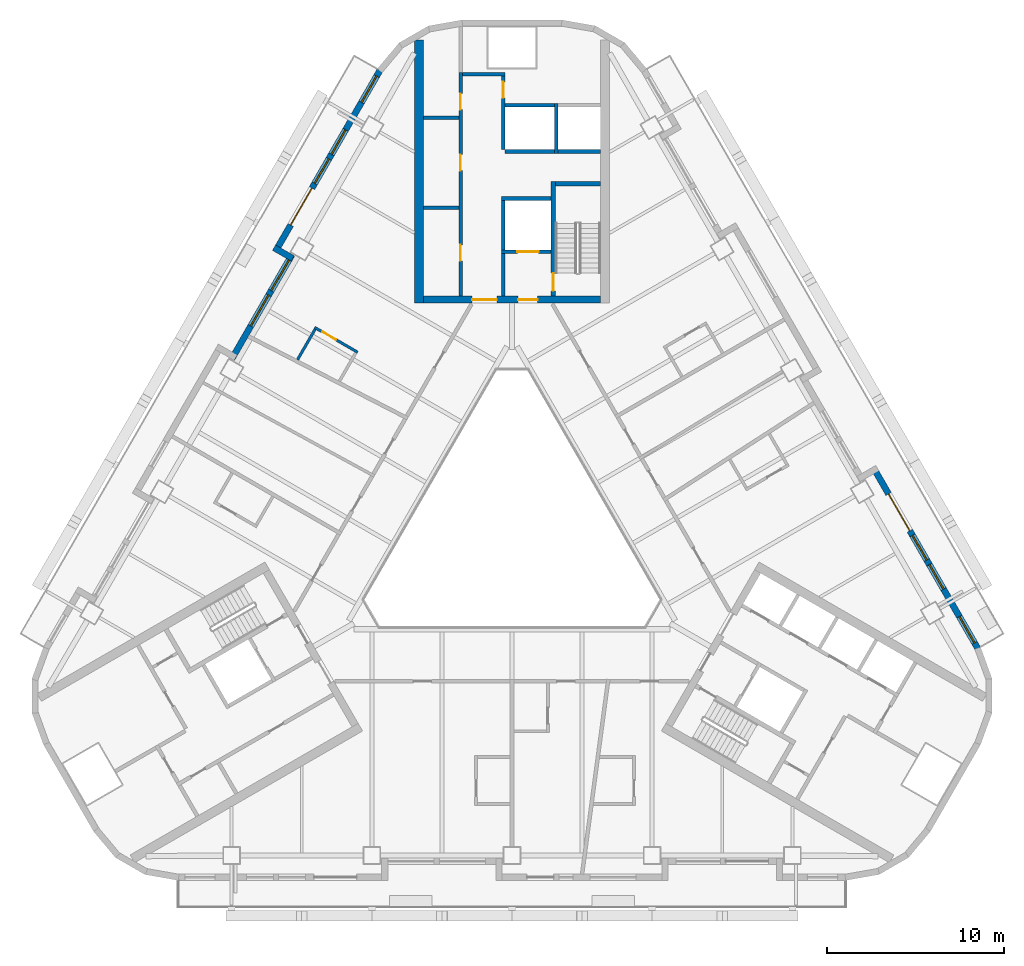
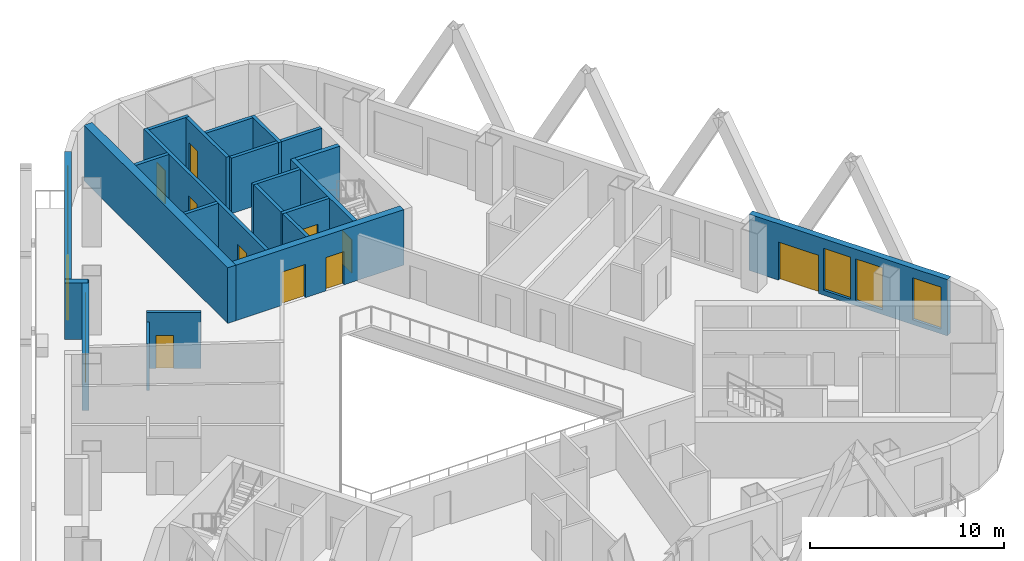
# One storey, part 6 of 13: 23 walls, 11 doors, 8 windows, 19 openings.
"""IFC4 building model written with IfcOpenShell, lengths in metres."""

from ifc_helpers import new_model, si_unit, direction, frame, frame_2d, origin, place, context, subcontext, project, spatial, rectangle, extrude, material, layer, layer_set, type_object, element, fill, save


model = new_model("IFC4")

# Units and contexts
model_context = context("Model", 3, precision=1e-05, world=origin(), true_north=direction((0.0, 1.0)))
body_context = subcontext(model_context, "Body", "Model", "MODEL_VIEW")
ifc_project = project(units=[si_unit("LENGTHUNIT", "METRE"), si_unit("AREAUNIT", "SQUARE_METRE"), si_unit("VOLUMEUNIT", "CUBIC_METRE"), si_unit("PLANEANGLEUNIT", "RADIAN"), si_unit("MASSUNIT", "GRAM", prefix="KILO")], contexts=[model_context])

# Site, building, storey
site_placement = place(None, origin())
site = spatial("IfcSite", under=ifc_project, at=site_placement, CompositionType="ELEMENT")
building_placement = place(site_placement, origin())
building = spatial("IfcBuilding", under=site, at=building_placement, Name="Apuvela Tower Hotel", CompositionType="ELEMENT")
storey_placement = place(building_placement, frame((0.0, 0.0, 61.300048828125)))
storey = spatial("IfcBuildingStorey", under=building, at=storey_placement, Name="L12", CompositionType="ELEMENT", Elevation=61.300048828125)

# Wall, openings, doors
ifc_material_1 = material(Name="Concrete C50/60", Category="concrete")
ifc_layer_1 = layer(ifc_material_1, 0.39990234375)
ifc_layer_set_1 = layer_set([ifc_layer_1], Name="COR-WALL-CORE-400")
wall_type_1 = type_object("IfcWallType", Name="COR-WALL-CORE-400", PredefinedType="SHEAR", material=ifc_layer_set_1)
wall_1_placement = place(storey_placement, frame((5.0, 13.10009765625, 0.0), z_axis=(0.0, 0.0, 1.0), x_axis=(-1.0, 0.0, 0.0)))
wall_1 = element("IfcWall", 1, at=wall_1_placement, inside=storey, type_object=wall_type_1, Name="Core wall N", PredefinedType="SHEAR", context=body_context, shape_type="SweptSolid", body=[
    extrude(rectangle(XDim=10.0, YDim=0.39990234375, at=frame_2d((5.0, 0.0))), origin(), (0.0, 0.0, 1.0), 3.5),
])
opening_1_placement = place(wall_1_placement, frame((3.550048828125, 0.0, 0.0)))
opening_1 = element("IfcOpeningElement", 2, at=opening_1_placement, cuts=wall_1, Name="Opening N-FD", PredefinedType="OPENING", context=body_context, shape_type="SweptSolid", body=[
    extrude(rectangle(XDim=1.10009765625, YDim=2.10009765625, at=frame_2d((0.550048828125, 1.050048828125))), frame((0.0, 0.2099609375, 0.0), z_axis=(0.0, -1.0, 0.0), x_axis=(1.0, 0.0, 0.0)), (0.0, 0.0, 1.0), 0.419921875),
])
opening_2_placement = place(wall_1_placement, frame((5.85009765625, 0.0, 0.0)))
opening_2 = element("IfcOpeningElement", 3, at=opening_2_placement, cuts=wall_1, Name="Opening N-GD", PredefinedType="OPENING", context=body_context, shape_type="SweptSolid", body=[
    extrude(rectangle(XDim=1.39990234375, YDim=2.10009765625, at=frame_2d((0.699951171875, 1.050048828125))), frame((0.0, 0.2099609375, 0.0), z_axis=(0.0, -1.0, 0.0), x_axis=(1.0, 0.0, 0.0)), (0.0, 0.0, 1.0), 0.419921875),
])
ifc_material_2 = material(Name="Steel fire door, powder coated", Category="steel")
door_type_1 = type_object("IfcDoorType", Name="COR-FD-1100", OperationType="NOTDEFINED", PredefinedType="DOOR", material=ifc_material_2)
door_1_placement = place(opening_1_placement, frame((1.10009765625, 0.0, 0.0), z_axis=(0.0, 0.0, 1.0), x_axis=(-1.0, 0.0, 0.0)))
door_1 = element("IfcDoor", 4, at=door_1_placement, inside=storey, type_object=door_type_1, Name="Firefighting lobby door N-FD", OperationType="SINGLE_SWING_LEFT", OverallHeight=2.10009765625, OverallWidth=1.10009765625, PredefinedType="DOOR", context=body_context, shape_type="SweptSolid", body=[
    extrude(rectangle(XDim=1.10009765625, YDim=2.10009765625, at=frame_2d((0.550048828125, 1.050048828125))), frame((0.0, 0.02490234375, 0.0), z_axis=(0.0, -1.0, 0.0), x_axis=(1.0, 0.0, 0.0)), (0.0, 0.0, 1.0), 0.050048828125),
])
fill(opening_1, door_1)
ifc_material_3 = material(Name="Glazed steel fire door", Category="steel")
door_type_2 = type_object("IfcDoorType", Name="COR-GD-1400", OperationType="DOUBLE_DOOR_SINGLE_SWING", PredefinedType="DOOR", material=ifc_material_3)
door_2_placement = place(opening_2_placement, frame((1.39990234375, 0.0, 0.0), z_axis=(0.0, 0.0, 1.0), x_axis=(-1.0, 0.0, 0.0)))
door_2 = element("IfcDoor", 5, at=door_2_placement, inside=storey, type_object=door_type_2, Name="Lift lobby door N-GD", OperationType="DOUBLE_DOOR_SINGLE_SWING", OverallHeight=2.10009765625, OverallWidth=1.39990234375, PredefinedType="DOOR", context=body_context, shape_type="SweptSolid", body=[
    extrude(rectangle(XDim=1.39990234375, YDim=2.10009765625, at=frame_2d((0.699951171875, 1.050048828125))), frame((0.0, 0.02490234375, 0.0), z_axis=(0.0, -1.0, 0.0), x_axis=(1.0, 0.0, 0.0)), (0.0, 0.0, 1.0), 0.050048828125),
])
fill(opening_2, door_2)

# Walls
ifc_layer_2 = layer(ifc_material_1, 0.5)
ifc_layer_set_2 = layer_set([ifc_layer_2], Name="COR-WALL-CORE-500")
wall_type_2 = type_object("IfcWallType", Name="COR-WALL-CORE-500", PredefinedType="SHEAR", material=ifc_layer_set_2)
wall_2_placement = place(storey_placement, frame((-5.25, 12.89990234375, 0.0), z_axis=(0.0, 0.0, 1.0), x_axis=(0.0, 1.0, 0.0)))
element("IfcWall", 6, at=wall_2_placement, inside=storey, type_object=wall_type_2, Name="Core wall N", PredefinedType="SHEAR", context=body_context, shape_type="SweptSolid", body=[
    extrude(rectangle(XDim=14.8369140625, YDim=0.5, at=frame_2d((7.41845703125, 0.0))), origin(), (0.0, 0.0, 1.0), 3.5),
])
ifc_material_4 = material(Name="Blockwork 200 mm plastered", Category="masonry")
ifc_layer_3 = layer(ifc_material_4, 0.199951171875)
ifc_layer_set_3 = layer_set([ifc_layer_3], Name="COR-WALL-PART-200")
wall_type_3 = type_object("IfcWallType", Name="COR-WALL-PART-200", PredefinedType="PARTITIONING", material=ifc_layer_set_3)
wall_3_placement = place(storey_placement, frame((5.0, 21.449951171875, 0.0), z_axis=(0.0, 0.0, 1.0), x_axis=(-1.0, 0.0, 0.0)))
element("IfcWall", 7, at=wall_3_placement, inside=storey, type_object=wall_type_3, Name="Partition N", PredefinedType="PARTITIONING", context=body_context, shape_type="SweptSolid", body=[
    extrude(rectangle(XDim=2.39990234375, YDim=0.199951171875, at=frame_2d((1.199951171875, 0.0))), origin(), (0.0, 0.0, 1.0), 3.5),
])
wall_4_placement = place(storey_placement, frame((2.39990234375, 21.449951171875, 0.0), z_axis=(0.0, 0.0, 1.0), x_axis=(-1.0, 0.0, 0.0)))
element("IfcWall", 8, at=wall_4_placement, inside=storey, type_object=wall_type_3, Name="Partition N", PredefinedType="PARTITIONING", context=body_context, shape_type="SweptSolid", body=[
    extrude(rectangle(XDim=2.7998046875, YDim=0.199951171875, at=frame_2d((1.39990234375, 0.0))), origin(), (0.0, 0.0, 1.0), 3.5),
])
ifc_layer_4 = layer(ifc_material_1, 0.199951171875)
ifc_layer_set_4 = layer_set([ifc_layer_4], Name="COR-WALL-SHAFT-200")
wall_type_4 = type_object("IfcWallType", Name="COR-WALL-SHAFT-200", PredefinedType="SHEAR", material=ifc_layer_set_4)
wall_5_placement = place(storey_placement, frame((2.199951171875, 18.800048828125, 0.0), z_axis=(0.0, 0.0, 1.0), x_axis=(-1.0, 0.0, 0.0)))
element("IfcWall", 9, at=wall_5_placement, inside=storey, type_object=wall_type_4, Name="Shaft wall N", PredefinedType="SHEAR", context=body_context, shape_type="SweptSolid", body=[
    extrude(rectangle(XDim=2.800048828125, YDim=0.199951171875, at=frame_2d((1.39990234375, 0.0))), origin(), (0.0, 0.0, 1.0), 3.5),
])

# Wall, opening, door
wall_6_placement = place(storey_placement, frame((2.199951171875, 15.800048828125, 0.0), z_axis=(0.0, 0.0, 1.0), x_axis=(-1.0, 0.0, 0.0)))
wall_6 = element("IfcWall", 10, at=wall_6_placement, inside=storey, type_object=wall_type_4, Name="Shaft wall N", PredefinedType="SHEAR", context=body_context, shape_type="SweptSolid", body=[
    extrude(rectangle(XDim=2.800048828125, YDim=0.199951171875, at=frame_2d((1.39990234375, 0.0))), origin(), (0.0, 0.0, 1.0), 3.5),
])
opening_3_placement = place(wall_6_placement, frame((0.699951171875, 0.0, 0.0)))
opening_3 = element("IfcOpeningElement", 11, at=opening_3_placement, cuts=wall_6, Name="Opening N-LD-FS1", PredefinedType="OPENING", context=body_context, shape_type="SweptSolid", body=[
    extrude(rectangle(XDim=1.199951171875, YDim=2.10009765625, at=frame_2d((0.60009765625, 1.050048828125))), frame((0.0, 0.10986328125, 0.0), z_axis=(0.0, -1.0, 0.0), x_axis=(1.0, 0.0, 0.0)), (0.0, 0.0, 1.0), 0.219970703125),
])
ifc_material_5 = material(Name="Stainless steel lift landing door", Category="steel")
door_type_3 = type_object("IfcDoorType", Name="COR-LD-1200", OperationType="DOUBLE_DOOR_SLIDING", PredefinedType="DOOR", material=ifc_material_5)
door_3_placement = place(opening_3_placement, origin())
door_3 = element("IfcDoor", 12, at=door_3_placement, inside=storey, type_object=door_type_3, Name="Lift landing door N-LD-FS1", OperationType="DOUBLE_DOOR_SLIDING", OverallHeight=2.10009765625, OverallWidth=1.199951171875, PredefinedType="DOOR", context=body_context, shape_type="SweptSolid", body=[
    extrude(rectangle(XDim=1.199951171875, YDim=2.10009765625, at=frame_2d((0.60009765625, 1.050048828125))), frame((0.0, 0.02490234375, 0.0), z_axis=(0.0, -1.0, 0.0), x_axis=(1.0, 0.0, 0.0)), (0.0, 0.0, 1.0), 0.050048828125),
])
fill(opening_3, door_3)

# Walls
wall_7_placement = place(storey_placement, frame((-0.5, 15.89990234375, 0.0), z_axis=(0.0, 0.0, 1.0), x_axis=(0.0, 1.0, 0.0)))
element("IfcWall", 13, at=wall_7_placement, inside=storey, type_object=wall_type_4, Name="Shaft wall N", PredefinedType="SHEAR", context=body_context, shape_type="SweptSolid", body=[
    extrude(rectangle(XDim=2.800048828125, YDim=0.199951171875, at=frame_2d((1.39990234375, 0.0))), origin(), (0.0, 0.0, 1.0), 3.5),
])
wall_8_placement = place(storey_placement, frame((-0.5, 13.300048828125, 0.0), z_axis=(0.0, 0.0, 1.0), x_axis=(0.0, 1.0, 0.0)))
element("IfcWall", 14, at=wall_8_placement, inside=storey, type_object=wall_type_4, Name="Shaft wall N", PredefinedType="SHEAR", context=body_context, shape_type="SweptSolid", body=[
    extrude(rectangle(XDim=2.39990234375, YDim=0.199951171875, at=frame_2d((1.199951171875, 0.0))), origin(), (0.0, 0.0, 1.0), 3.5),
])

# Wall, openings, doors
wall_9_placement = place(storey_placement, frame((-2.89990234375, 13.300048828125, 0.0), z_axis=(0.0, 0.0, 1.0), x_axis=(0.0, 1.0, 0.0)))
wall_9 = element("IfcWall", 15, at=wall_9_placement, inside=storey, type_object=wall_type_4, Name="Shaft wall N", PredefinedType="SHEAR", context=body_context, shape_type="SweptSolid", body=[
    extrude(rectangle(XDim=12.599853515625, YDim=0.199951171875, at=frame_2d((6.2998046875, 0.0))), origin(), (0.0, 0.0, 1.0), 3.5),
])
opening_4_placement = place(wall_9_placement, frame((1.989990234375, 0.0, 0.0)))
opening_4 = element("IfcOpeningElement", 16, at=opening_4_placement, cuts=wall_9, Name="Opening N-RE1", PredefinedType="OPENING", context=body_context, shape_type="SweptSolid", body=[
    extrude(rectangle(XDim=0.89990234375, YDim=2.10009765625, at=frame_2d((0.449951171875, 1.050048828125))), frame((0.0, 0.10986328125, 0.0), z_axis=(0.0, -1.0, 0.0), x_axis=(1.0, 0.0, 0.0)), (0.0, 0.0, 1.0), 0.219970703125),
])
opening_5_placement = place(wall_9_placement, frame((7.070068359375, 0.0, 0.0)))
opening_5 = element("IfcOpeningElement", 17, at=opening_5_placement, cuts=wall_9, Name="Opening N-RE3", PredefinedType="OPENING", context=body_context, shape_type="SweptSolid", body=[
    extrude(rectangle(XDim=0.89990234375, YDim=2.10009765625, at=frame_2d((0.449951171875, 1.050048828125))), frame((0.0, 0.10986328125, 0.0), z_axis=(0.0, -1.0, 0.0), x_axis=(1.0, 0.0, 0.0)), (0.0, 0.0, 1.0), 0.219970703125),
])
opening_6_placement = place(wall_9_placement, frame((10.510009765625, 0.0, 0.0)))
opening_6 = element("IfcOpeningElement", 18, at=opening_6_placement, cuts=wall_9, Name="Opening N-REP", PredefinedType="OPENING", context=body_context, shape_type="SweptSolid", body=[
    extrude(rectangle(XDim=0.89990234375, YDim=2.10009765625, at=frame_2d((0.449951171875, 1.050048828125))), frame((0.0, 0.10986328125, 0.0), z_axis=(0.0, -1.0, 0.0), x_axis=(1.0, 0.0, 0.0)), (0.0, 0.0, 1.0), 0.219970703125),
])
door_type_4 = type_object("IfcDoorType", Name="COR-DR-900", OperationType="NOTDEFINED", PredefinedType="DOOR", material=ifc_material_2)
door_4_placement = place(opening_4_placement, origin())
door_4 = element("IfcDoor", 19, at=door_4_placement, inside=storey, type_object=door_type_4, Name="Store door N-RE1", OperationType="SINGLE_SWING_LEFT", OverallHeight=2.10009765625, OverallWidth=0.89990234375, PredefinedType="DOOR", context=body_context, shape_type="SweptSolid", body=[
    extrude(rectangle(XDim=0.89990234375, YDim=2.10009765625, at=frame_2d((0.449951171875, 1.050048828125))), frame((0.0, 0.02490234375, 0.0), z_axis=(0.0, -1.0, 0.0), x_axis=(1.0, 0.0, 0.0)), (0.0, 0.0, 1.0), 0.050048828125),
])
fill(opening_4, door_4)
door_5_placement = place(opening_5_placement, origin())
door_5 = element("IfcDoor", 20, at=door_5_placement, inside=storey, type_object=door_type_4, Name="Store door N-RE3", OperationType="SINGLE_SWING_LEFT", OverallHeight=2.10009765625, OverallWidth=0.89990234375, PredefinedType="DOOR", context=body_context, shape_type="SweptSolid", body=[
    extrude(rectangle(XDim=0.89990234375, YDim=2.10009765625, at=frame_2d((0.449951171875, 1.050048828125))), frame((0.0, 0.02490234375, 0.0), z_axis=(0.0, -1.0, 0.0), x_axis=(1.0, 0.0, 0.0)), (0.0, 0.0, 1.0), 0.050048828125),
])
fill(opening_5, door_5)
door_6_placement = place(opening_6_placement, origin())
door_6 = element("IfcDoor", 21, at=door_6_placement, inside=storey, type_object=door_type_4, Name="Store door N-REP", OperationType="SINGLE_SWING_RIGHT", OverallHeight=2.10009765625, OverallWidth=0.89990234375, PredefinedType="DOOR", context=body_context, shape_type="SweptSolid", body=[
    extrude(rectangle(XDim=0.89990234375, YDim=2.10009765625, at=frame_2d((0.449951171875, 1.050048828125))), frame((0.0, 0.02490234375, 0.0), z_axis=(0.0, -1.0, 0.0), x_axis=(1.0, 0.0, 0.0)), (0.0, 0.0, 1.0), 0.050048828125),
])
fill(opening_6, door_6)

# Wall
wall_10_placement = place(storey_placement, frame((-0.39990234375, 25.800048828125, 0.0), z_axis=(0.0, 0.0, 1.0), x_axis=(-1.0, 0.0, 0.0)))
element("IfcWall", 22, at=wall_10_placement, inside=storey, type_object=wall_type_4, Name="Shaft wall N", PredefinedType="SHEAR", context=body_context, shape_type="SweptSolid", body=[
    extrude(rectangle(XDim=2.400146484375, YDim=0.199951171875, at=frame_2d((1.2001953125, 0.0))), origin(), (0.0, 0.0, 1.0), 3.5),
])

# Wall, opening, door
wall_11_placement = place(storey_placement, frame((-0.5, 21.550048828125, 0.0), z_axis=(0.0, 0.0, 1.0), x_axis=(0.0, 1.0, 0.0)))
wall_11 = element("IfcWall", 23, at=wall_11_placement, inside=storey, type_object=wall_type_4, Name="Shaft wall N", PredefinedType="SHEAR", context=body_context, shape_type="SweptSolid", body=[
    extrude(rectangle(XDim=4.14990234375, YDim=0.199951171875, at=frame_2d((2.074951171875, 0.0))), origin(), (0.0, 0.0, 1.0), 3.5),
])
opening_7_placement = place(wall_11_placement, frame((2.925048828125, 0.0, 0.0)))
opening_7 = element("IfcOpeningElement", 24, at=opening_7_placement, cuts=wall_11, Name="Opening N-RSP", PredefinedType="OPENING", context=body_context, shape_type="SweptSolid", body=[
    extrude(rectangle(XDim=0.89990234375, YDim=2.10009765625, at=frame_2d((0.449951171875, 1.050048828125))), frame((0.0, 0.10986328125, 0.0), z_axis=(0.0, -1.0, 0.0), x_axis=(1.0, 0.0, 0.0)), (0.0, 0.0, 1.0), 0.219970703125),
])
door_7_placement = place(opening_7_placement, frame((0.89990234375, 0.0, 0.0), z_axis=(0.0, 0.0, 1.0), x_axis=(-1.0, 0.0, 0.0)))
door_7 = element("IfcDoor", 25, at=door_7_placement, inside=storey, type_object=door_type_4, Name="Store door N-RSP", OperationType="SINGLE_SWING_LEFT", OverallHeight=2.10009765625, OverallWidth=0.89990234375, PredefinedType="DOOR", context=body_context, shape_type="SweptSolid", body=[
    extrude(rectangle(XDim=0.89990234375, YDim=2.10009765625, at=frame_2d((0.449951171875, 1.050048828125))), frame((0.0, 0.02490234375, 0.0), z_axis=(0.0, -1.0, 0.0), x_axis=(1.0, 0.0, 0.0)), (0.0, 0.0, 1.0), 0.050048828125),
])
fill(opening_7, door_7)

# Walls
for number, where, z_axis, x_axis, name in (
    (26, (-3.0, 18.280029296875, 0.0), (0.0, 0.0, 1.0), (-1.0, 0.0, 0.0), "Shaft wall N"),
    (27, (-3.0, 23.360107421875, 0.0), (0.0, 0.0, 1.0), (-1.0, 0.0, 0.0), "Shaft wall N"),
):
    element("IfcWall", number, at=place(storey_placement, frame(where, z_axis=z_axis, x_axis=x_axis)), inside=storey, type_object=wall_type_4, Name=name, PredefinedType="SHEAR", context=body_context, shape_type="SweptSolid", body=[
        extrude(rectangle(XDim=2.0, YDim=0.199951171875, at=frame_2d((1.0, 0.0))), origin(), (0.0, 0.0, 1.0), 3.5),
    ])
for number, where, z_axis, x_axis, name in (
    (28, (2.5, 21.35009765625, 0.0), (0.0, 0.0, 1.0), (0.0, 1.0, 0.0), "Shaft wall N"),
    (29, (2.39990234375, 24.050048828125, 0.0), (0.0, 0.0, 1.0), (-1.0, 0.0, 0.0), "Shaft wall N"),
):
    element("IfcWall", number, at=place(storey_placement, frame(where, z_axis=z_axis, x_axis=x_axis)), inside=storey, type_object=wall_type_4, Name=name, PredefinedType="SHEAR", context=body_context, shape_type="SweptSolid", body=[
        extrude(rectangle(XDim=2.7998046875, YDim=0.199951171875, at=frame_2d((1.39990234375, 0.0))), origin(), (0.0, 0.0, 1.0), 3.5),
    ])

# Wall, opening, door
ifc_layer_5 = layer(ifc_material_1, 0.25)
ifc_layer_set_5 = layer_set([ifc_layer_5], Name="COR-WALL-STAIR-250")
wall_type_5 = type_object("IfcWallType", Name="COR-WALL-STAIR-250", PredefinedType="SHEAR", material=ifc_layer_set_5)
wall_12_placement = place(storey_placement, frame((2.324951171875, 13.300048828125, 0.0), z_axis=(0.0, 0.0, 1.0), x_axis=(0.0, 1.0, 0.0)))
wall_12 = element("IfcWall", 30, at=wall_12_placement, inside=storey, type_object=wall_type_5, Name="Stair wall N", PredefinedType="SHEAR", context=body_context, shape_type="SweptSolid", body=[
    extrude(rectangle(XDim=6.449951171875, YDim=0.25, at=frame_2d((3.22509765625, 0.0))), origin(), (0.0, 0.0, 1.0), 3.5),
])
opening_8_placement = place(wall_12_placement, frame((0.300048828125, 0.0, 0.0)))
opening_8 = element("IfcOpeningElement", 31, at=opening_8_placement, cuts=wall_12, Name="Opening N-SD", PredefinedType="OPENING", context=body_context, shape_type="SweptSolid", body=[
    extrude(rectangle(XDim=1.0, YDim=2.10009765625, at=frame_2d((0.5, 1.050048828125))), frame((0.0, 0.135009765625, 0.0), z_axis=(0.0, -1.0, 0.0), x_axis=(1.0, 0.0, 0.0)), (0.0, 0.0, 1.0), 0.27001953125),
])
door_type_5 = type_object("IfcDoorType", Name="COR-SD-1000", OperationType="NOTDEFINED", PredefinedType="DOOR", material=ifc_material_2)
door_8_placement = place(opening_8_placement, frame((1.0, 0.0, 0.0), z_axis=(0.0, 0.0, 1.0), x_axis=(-1.0, 0.0, 0.0)))
door_8 = element("IfcDoor", 32, at=door_8_placement, inside=storey, type_object=door_type_5, Name="Stair door N-SD", OperationType="SINGLE_SWING_LEFT", OverallHeight=2.10009765625, OverallWidth=1.0, PredefinedType="DOOR", context=body_context, shape_type="SweptSolid", body=[
    extrude(rectangle(XDim=1.0, YDim=2.10009765625, at=frame_2d((0.5, 1.050048828125))), frame((0.0, 0.02490234375, 0.0), z_axis=(0.0, -1.0, 0.0), x_axis=(1.0, 0.0, 0.0)), (0.0, 0.0, 1.0), 0.050048828125),
])
fill(opening_8, door_8)

# Wall
wall_13_placement = place(storey_placement, frame((5.0, 19.625, 0.0), z_axis=(0.0, 0.0, 1.0), x_axis=(-1.0, 0.0, 0.0)))
element("IfcWall", 33, at=wall_13_placement, inside=storey, type_object=wall_type_5, Name="Stair wall N", PredefinedType="SHEAR", context=body_context, shape_type="SweptSolid", body=[
    extrude(rectangle(XDim=2.550048828125, YDim=0.25, at=frame_2d((1.27490234375, 0.0))), origin(), (0.0, 0.0, 1.0), 3.5),
])

# Wall, openings, door, windows
ifc_material_6 = material(Name="Concrete C40/50, dark pigmented precast panel", Category="concrete")
ifc_layer_6 = layer(ifc_material_6, 0.35009765625)
ifc_layer_set_6 = layer_set([ifc_layer_6], Name="ENV-WALL-350")
wall_type_6 = type_object("IfcWallType", Name="ENV-WALL-350", PredefinedType="SOLIDWALL", material=ifc_layer_set_6)
wall_14_placement = place(storey_placement, frame((-7.440673828125, 26.0224609375, 0.0), z_axis=(0.0, 0.0, 1.0), x_axis=(-0.499992533062, -0.86602971478, 0.0)))
wall_14 = element("IfcWall", 34, at=wall_14_placement, inside=storey, type_object=wall_type_6, Name="External wall L12-01", PredefinedType="SOLIDWALL", context=body_context, shape_type="SweptSolid", body=[
    extrude(rectangle(XDim=11.815673828125, YDim=0.35009765625, at=frame_2d((5.90771484375, 0.0))), origin(), (0.0, 0.0, 1.0), 3.550048828125),
])
opening_9_placement = place(wall_14_placement, frame((0.381103515625, 0.0, 0.300048828125)))
opening_9 = element("IfcOpeningElement", 35, at=opening_9_placement, cuts=wall_14, Name="Opening WN17", PredefinedType="OPENING", context=body_context, shape_type="SweptSolid", body=[
    extrude(rectangle(XDim=1.699951171875, YDim=2.64990234375, at=frame_2d((0.85009765625, 1.324951171875))), frame((0.0, 0.18505859375, 0.0), z_axis=(0.0, -1.0, 0.0), x_axis=(1.0, 0.0, 0.0)), (0.0, 0.0, 1.0), 0.3701171875),
])
opening_10_placement = place(wall_14_placement, frame((7.66552734375, 0.0, 0.0)))
opening_10 = element("IfcOpeningElement", 36, at=opening_10_placement, cuts=wall_14, Name="Opening BD24", PredefinedType="OPENING", context=body_context, shape_type="SweptSolid", body=[
    extrude(rectangle(XDim=2.39990234375, YDim=2.39990234375, at=frame_2d((1.199951171875, 1.199951171875))), frame((0.0, 0.18505859375, 0.0), z_axis=(0.0, -1.0, 0.0), x_axis=(1.0, 0.0, 0.0)), (0.0, 0.0, 1.0), 0.3701171875),
])
opening_11_placement = place(wall_14_placement, frame((3.865478515625, 0.0, 0.300048828125)))
opening_11 = element("IfcOpeningElement", 37, at=opening_11_placement, cuts=wall_14, Name="Opening WN16", PredefinedType="OPENING", context=body_context, shape_type="SweptSolid", body=[
    extrude(rectangle(XDim=1.60009765625, YDim=2.64990234375, at=frame_2d((0.800048828125, 1.324951171875))), frame((0.0, 0.18505859375, 0.0), z_axis=(0.0, -1.0, 0.0), x_axis=(1.0, 0.0, 0.0)), (0.0, 0.0, 1.0), 0.3701171875),
])
opening_12_placement = place(wall_14_placement, frame((5.765380859375, 0.0, 0.300048828125)))
opening_12 = element("IfcOpeningElement", 38, at=opening_12_placement, cuts=wall_14, Name="Opening WN16", PredefinedType="OPENING", context=body_context, shape_type="SweptSolid", body=[
    extrude(rectangle(XDim=1.60009765625, YDim=2.64990234375, at=frame_2d((0.800048828125, 1.324951171875))), frame((0.0, 0.18505859375, 0.0), z_axis=(0.0, -1.0, 0.0), x_axis=(1.0, 0.0, 0.0)), (0.0, 0.0, 1.0), 0.3701171875),
])
ifc_material_7 = material(Name="Aluminium 6063-T6, dark bronze anodised frame with dark tinted laminated glass", Category="aluminium")
door_type_6 = type_object("IfcDoorType", Name="ENV-DOOR-BALCONY-2400x2400", OperationType="SLIDING_TO_LEFT", PredefinedType="DOOR", material=ifc_material_7)
door_9_placement = place(opening_10_placement, frame((2.39990234375, 0.0, 0.0), z_axis=(0.0, 0.0, 1.0), x_axis=(-1.0, 0.0, 0.0)))
door_9 = element("IfcDoor", 39, at=door_9_placement, inside=storey, type_object=door_type_6, Name="Balcony door BD24", OperationType="SLIDING_TO_LEFT", OverallHeight=2.39990234375, OverallWidth=2.39990234375, PredefinedType="DOOR", context=body_context, shape_type="SweptSolid", body=[
    extrude(rectangle(XDim=2.39990234375, YDim=2.39990234375, at=frame_2d((1.199951171875, 1.199951171875))), frame((0.0, 0.02490234375, 0.0), z_axis=(0.0, -1.0, 0.0), x_axis=(1.0, 0.0, 0.0)), (0.0, 0.0, 1.0), 0.050048828125),
])
fill(opening_10, door_9)
ifc_material_8 = material(Name="Glass, dark tinted laminated insulated glazing unit", Category="glass")
window_type_1 = type_object("IfcWindowType", Name="ENV-WIN-1600x2650", PartitioningType="SINGLE_PANEL", PredefinedType="WINDOW", material=ifc_material_8)
window_1_placement = place(opening_11_placement, origin())
window_1 = element("IfcWindow", 40, at=window_1_placement, inside=storey, type_object=window_type_1, Name="Window WN16", OverallHeight=2.64990234375, OverallWidth=1.60009765625, PartitioningType="SINGLE_PANEL", PredefinedType="WINDOW", context=body_context, shape_type="SweptSolid", body=[
    extrude(rectangle(XDim=1.60009765625, YDim=2.64990234375, at=frame_2d((0.800048828125, 1.324951171875))), frame((0.0, 0.030029296875, 0.0), z_axis=(0.0, -1.0, 0.0), x_axis=(1.0, 0.0, 0.0)), (0.0, 0.0, 1.0), 0.06005859375),
])
fill(opening_11, window_1)
window_2_placement = place(opening_12_placement, origin())
window_2 = element("IfcWindow", 41, at=window_2_placement, inside=storey, type_object=window_type_1, Name="Window WN16", OverallHeight=2.64990234375, OverallWidth=1.60009765625, PartitioningType="SINGLE_PANEL", PredefinedType="WINDOW", context=body_context, shape_type="SweptSolid", body=[
    extrude(rectangle(XDim=1.60009765625, YDim=2.64990234375, at=frame_2d((0.800048828125, 1.324951171875))), frame((0.0, 0.030029296875, 0.0), z_axis=(0.0, -1.0, 0.0), x_axis=(1.0, 0.0, 0.0)), (0.0, 0.0, 1.0), 0.06005859375),
])
fill(opening_12, window_2)
window_type_2 = type_object("IfcWindowType", Name="ENV-WIN-1700x2650", PartitioningType="SINGLE_PANEL", PredefinedType="WINDOW", material=ifc_material_8)
window_3_placement = place(opening_9_placement, origin())
window_3 = element("IfcWindow", 42, at=window_3_placement, inside=storey, type_object=window_type_2, Name="Window WN17", OverallHeight=2.64990234375, OverallWidth=1.699951171875, PartitioningType="SINGLE_PANEL", PredefinedType="WINDOW", context=body_context, shape_type="SweptSolid", body=[
    extrude(rectangle(XDim=1.699951171875, YDim=2.64990234375, at=frame_2d((0.85009765625, 1.324951171875))), frame((0.0, 0.030029296875, 0.0), z_axis=(0.0, -1.0, 0.0), x_axis=(1.0, 0.0, 0.0)), (0.0, 0.0, 1.0), 0.06005859375),
])
fill(opening_9, window_3)

# Wall
wall_15_placement = place(storey_placement, frame((-13.41259765625, 16.02880859375, 0.0), z_axis=(0.0, 0.0, 1.0), x_axis=(0.866005645448, -0.500034220881, 0.0)))
element("IfcWall", 43, at=wall_15_placement, inside=storey, type_object=wall_type_6, Name="External wall L12-02", PredefinedType="SOLIDWALL", context=body_context, shape_type="SweptSolid", body=[
    extrude(rectangle(XDim=1.22021484375, YDim=0.35009765625, at=frame_2d((0.610107421875, 0.0))), origin(), (0.0, 0.0, 1.0), 3.550048828125),
])

# Wall, openings, windows
wall_16_placement = place(storey_placement, frame((-12.408935546875, 15.616943359375, 0.0), z_axis=(0.0, 0.0, 1.0), x_axis=(-0.500003597184, -0.866023326939, 0.0)))
wall_16 = element("IfcWall", 44, at=wall_16_placement, inside=storey, type_object=wall_type_6, Name="External wall L12-03", PredefinedType="SOLIDWALL", context=body_context, shape_type="SweptSolid", body=[
    extrude(rectangle(XDim=6.740234375, YDim=0.35009765625, at=frame_2d((3.3701171875, 0.0))), origin(), (0.0, 0.0, 1.0), 3.550048828125),
])
opening_13_placement = place(wall_16_placement, frame((0.3203125, 0.0, 0.300048828125)))
opening_13 = element("IfcOpeningElement", 45, at=opening_13_placement, cuts=wall_16, Name="Opening WN20", PredefinedType="OPENING", context=body_context, shape_type="SweptSolid", body=[
    extrude(rectangle(XDim=2.0, YDim=2.64990234375, at=frame_2d((1.0, 1.324951171875))), frame((0.0, 0.18505859375, 0.0), z_axis=(0.0, -1.0, 0.0), x_axis=(1.0, 0.0, 0.0)), (0.0, 0.0, 1.0), 0.3701171875),
])
opening_14_placement = place(wall_16_placement, frame((2.6201171875, 0.0, 0.300048828125)))
opening_14 = element("IfcOpeningElement", 46, at=opening_14_placement, cuts=wall_16, Name="Opening WN20", PredefinedType="OPENING", context=body_context, shape_type="SweptSolid", body=[
    extrude(rectangle(XDim=2.0, YDim=2.64990234375, at=frame_2d((1.0, 1.324951171875))), frame((0.0, 0.18505859375, 0.0), z_axis=(0.0, -1.0, 0.0), x_axis=(1.0, 0.0, 0.0)), (0.0, 0.0, 1.0), 0.3701171875),
])
window_type_3 = type_object("IfcWindowType", Name="ENV-WIN-2000x2650", PartitioningType="SINGLE_PANEL", PredefinedType="WINDOW", material=ifc_material_8)
window_4_placement = place(opening_13_placement, origin())
window_4 = element("IfcWindow", 47, at=window_4_placement, inside=storey, type_object=window_type_3, Name="Window WN20", OverallHeight=2.64990234375, OverallWidth=2.0, PartitioningType="SINGLE_PANEL", PredefinedType="WINDOW", context=body_context, shape_type="SweptSolid", body=[
    extrude(rectangle(XDim=2.0, YDim=2.64990234375, at=frame_2d((1.0, 1.324951171875))), frame((0.0, 0.030029296875, 0.0), z_axis=(0.0, -1.0, 0.0), x_axis=(1.0, 0.0, 0.0)), (0.0, 0.0, 1.0), 0.06005859375),
])
fill(opening_13, window_4)
window_5_placement = place(opening_14_placement, origin())
window_5 = element("IfcWindow", 48, at=window_5_placement, inside=storey, type_object=window_type_3, Name="Window WN20", OverallHeight=2.64990234375, OverallWidth=2.0, PartitioningType="SINGLE_PANEL", PredefinedType="WINDOW", context=body_context, shape_type="SweptSolid", body=[
    extrude(rectangle(XDim=2.0, YDim=2.64990234375, at=frame_2d((1.0, 1.324951171875))), frame((0.0, 0.030029296875, 0.0), z_axis=(0.0, -1.0, 0.0), x_axis=(1.0, 0.0, 0.0)), (0.0, 0.0, 1.0), 0.06005859375),
])
fill(opening_14, window_5)

# Wall, openings, door, windows
wall_17_placement = place(storey_placement, frame((26.256591796875, -6.5673828125, 0.0), z_axis=(0.0, 0.0, 1.0), x_axis=(-0.500023526245, 0.866011820475, 0.0)))
wall_17 = element("IfcWall", 49, at=wall_17_placement, inside=storey, type_object=wall_type_6, Name="External wall L12-33", PredefinedType="SOLIDWALL", context=body_context, shape_type="SweptSolid", body=[
    extrude(rectangle(XDim=11.81591796875, YDim=0.35009765625, at=frame_2d((5.907958984375, 0.0))), origin(), (0.0, 0.0, 1.0), 3.550048828125),
])
opening_15_placement = place(wall_17_placement, frame((0.380126953125, 0.0, 0.300048828125)))
opening_15 = element("IfcOpeningElement", 50, at=opening_15_placement, cuts=wall_17, Name="Opening WN17", PredefinedType="OPENING", context=body_context, shape_type="SweptSolid", body=[
    extrude(rectangle(XDim=1.699951171875, YDim=2.64990234375, at=frame_2d((0.85009765625, 1.324951171875))), frame((0.0, 0.18505859375, 0.0), z_axis=(0.0, -1.0, 0.0), x_axis=(1.0, 0.0, 0.0)), (0.0, 0.0, 1.0), 0.3701171875),
])
opening_16_placement = place(wall_17_placement, frame((7.666015625, 0.0, 0.0)))
opening_16 = element("IfcOpeningElement", 51, at=opening_16_placement, cuts=wall_17, Name="Opening BD24", PredefinedType="OPENING", context=body_context, shape_type="SweptSolid", body=[
    extrude(rectangle(XDim=2.39990234375, YDim=2.39990234375, at=frame_2d((1.199951171875, 1.199951171875))), frame((0.0, 0.18505859375, 0.0), z_axis=(0.0, -1.0, 0.0), x_axis=(1.0, 0.0, 0.0)), (0.0, 0.0, 1.0), 0.3701171875),
])
opening_17_placement = place(wall_17_placement, frame((3.865234375, 0.0, 0.300048828125)))
opening_17 = element("IfcOpeningElement", 52, at=opening_17_placement, cuts=wall_17, Name="Opening WN16", PredefinedType="OPENING", context=body_context, shape_type="SweptSolid", body=[
    extrude(rectangle(XDim=1.60009765625, YDim=2.64990234375, at=frame_2d((0.800048828125, 1.324951171875))), frame((0.0, 0.18505859375, 0.0), z_axis=(0.0, -1.0, 0.0), x_axis=(1.0, 0.0, 0.0)), (0.0, 0.0, 1.0), 0.3701171875),
])
opening_18_placement = place(wall_17_placement, frame((5.765380859375, 0.0, 0.300048828125)))
opening_18 = element("IfcOpeningElement", 53, at=opening_18_placement, cuts=wall_17, Name="Opening WN16", PredefinedType="OPENING", context=body_context, shape_type="SweptSolid", body=[
    extrude(rectangle(XDim=1.60009765625, YDim=2.64990234375, at=frame_2d((0.800048828125, 1.324951171875))), frame((0.0, 0.18505859375, 0.0), z_axis=(0.0, -1.0, 0.0), x_axis=(1.0, 0.0, 0.0)), (0.0, 0.0, 1.0), 0.3701171875),
])
door_10_placement = place(opening_16_placement, frame((2.39990234375, 0.0, 0.0), z_axis=(0.0, 0.0, 1.0), x_axis=(-1.0, 0.0, 0.0)))
door_10 = element("IfcDoor", 54, at=door_10_placement, inside=storey, type_object=door_type_6, Name="Balcony door BD24", OperationType="SLIDING_TO_LEFT", OverallHeight=2.39990234375, OverallWidth=2.39990234375, PredefinedType="DOOR", context=body_context, shape_type="SweptSolid", body=[
    extrude(rectangle(XDim=2.39990234375, YDim=2.39990234375, at=frame_2d((1.199951171875, 1.199951171875))), frame((0.0, 0.02490234375, 0.0), z_axis=(0.0, -1.0, 0.0), x_axis=(1.0, 0.0, 0.0)), (0.0, 0.0, 1.0), 0.050048828125),
])
fill(opening_16, door_10)
window_6_placement = place(opening_17_placement, origin())
window_6 = element("IfcWindow", 55, at=window_6_placement, inside=storey, type_object=window_type_1, Name="Window WN16", OverallHeight=2.64990234375, OverallWidth=1.60009765625, PartitioningType="SINGLE_PANEL", PredefinedType="WINDOW", context=body_context, shape_type="SweptSolid", body=[
    extrude(rectangle(XDim=1.60009765625, YDim=2.64990234375, at=frame_2d((0.800048828125, 1.324951171875))), frame((0.0, 0.030029296875, 0.0), z_axis=(0.0, -1.0, 0.0), x_axis=(1.0, 0.0, 0.0)), (0.0, 0.0, 1.0), 0.06005859375),
])
fill(opening_17, window_6)
window_7_placement = place(opening_18_placement, origin())
window_7 = element("IfcWindow", 56, at=window_7_placement, inside=storey, type_object=window_type_1, Name="Window WN16", OverallHeight=2.64990234375, OverallWidth=1.60009765625, PartitioningType="SINGLE_PANEL", PredefinedType="WINDOW", context=body_context, shape_type="SweptSolid", body=[
    extrude(rectangle(XDim=1.60009765625, YDim=2.64990234375, at=frame_2d((0.800048828125, 1.324951171875))), frame((0.0, 0.030029296875, 0.0), z_axis=(0.0, -1.0, 0.0), x_axis=(1.0, 0.0, 0.0)), (0.0, 0.0, 1.0), 0.06005859375),
])
fill(opening_18, window_7)
window_8_placement = place(opening_15_placement, origin())
window_8 = element("IfcWindow", 57, at=window_8_placement, inside=storey, type_object=window_type_2, Name="Window WN17", OverallHeight=2.64990234375, OverallWidth=1.699951171875, PartitioningType="SINGLE_PANEL", PredefinedType="WINDOW", context=body_context, shape_type="SweptSolid", body=[
    extrude(rectangle(XDim=1.699951171875, YDim=2.64990234375, at=frame_2d((0.85009765625, 1.324951171875))), frame((0.0, 0.030029296875, 0.0), z_axis=(0.0, -1.0, 0.0), x_axis=(1.0, 0.0, 0.0)), (0.0, 0.0, 1.0), 0.06005859375),
])
fill(opening_15, window_8)

# Wall, opening, door
ifc_material_9 = material(Name="Moisture-resistant gypsum board wet wall on steel stud", Category="steel")
ifc_layer_7 = layer(ifc_material_9, 0.14990234375)
ifc_layer_set_7 = layer_set([ifc_layer_7], Name="GST-PW3")
wall_type_7 = type_object("IfcWallType", Name="GST-PW3", PredefinedType="PARTITIONING", material=ifc_layer_set_7)
wall_18_placement = place(storey_placement, frame((-8.6982421875, 10.13427734375, 0.0), z_axis=(0.0, 0.0, 1.0), x_axis=(-0.866034573852, 0.49998411664, 0.0)))
wall_18 = element("IfcWall", 58, at=wall_18_placement, inside=storey, type_object=wall_type_7, Name="L12 partition 30", PredefinedType="PARTITIONING", context=body_context, shape_type="SweptSolid", body=[
    extrude(rectangle(XDim=2.7998046875, YDim=0.14990234375, at=frame_2d((1.39990234375, 0.0))), origin(), (0.0, 0.0, 1.0), 3.550048828125),
])
opening_19_placement = place(wall_18_placement, frame((1.39990234375, 0.0, 0.0)))
opening_19 = element("IfcOpeningElement", 59, at=opening_19_placement, cuts=wall_18, Name="Opening GD03-13", PredefinedType="OPENING", context=body_context, shape_type="SweptSolid", body=[
    extrude(rectangle(XDim=0.89990234375, YDim=2.10009765625, at=frame_2d((0.449951171875, 1.050048828125))), frame((0.0, 0.0849609375, 0.0), z_axis=(0.0, -1.0, 0.0), x_axis=(1.0, 0.0, 0.0)), (0.0, 0.0, 1.0), 0.169921875),
])
ifc_material_10 = material(Name="Timber door leaf in steel frame", Category="steel")
door_type_7 = type_object("IfcDoorType", Name="GST-D2", OperationType="NOTDEFINED", PredefinedType="DOOR", material=ifc_material_10)
door_11_placement = place(opening_19_placement, origin())
door_11 = element("IfcDoor", 60, at=door_11_placement, inside=storey, type_object=door_type_7, Name="Door L12-13", OperationType="SINGLE_SWING_RIGHT", OverallHeight=2.10009765625, OverallWidth=0.89990234375, PredefinedType="DOOR", context=body_context, shape_type="SweptSolid", body=[
    extrude(rectangle(XDim=0.89990234375, YDim=2.10009765625, at=frame_2d((0.449951171875, 1.050048828125))), frame((0.0, 0.02490234375, 0.0), z_axis=(0.0, -1.0, 0.0), x_axis=(1.0, 0.0, 0.0)), (0.0, 0.0, 1.0), 0.050048828125),
])
fill(opening_19, door_11)

# Wall
wall_19_placement = place(storey_placement, frame((-11.095703125, 11.431640625, 0.0), z_axis=(0.0, 0.0, 1.0), x_axis=(-0.500035331196, -0.866005004348, 0.0)))
element("IfcWall", 61, at=wall_19_placement, inside=storey, type_object=wall_type_7, Name="L12 partition 31", PredefinedType="PARTITIONING", context=body_context, shape_type="SweptSolid", body=[
    extrude(rectangle(XDim=1.981201171875, YDim=0.14990234375, at=frame_2d((0.99072265625, 0.0))), origin(), (0.0, 0.0, 1.0), 2.949951171875),
])

save(model, "model.ifc")
